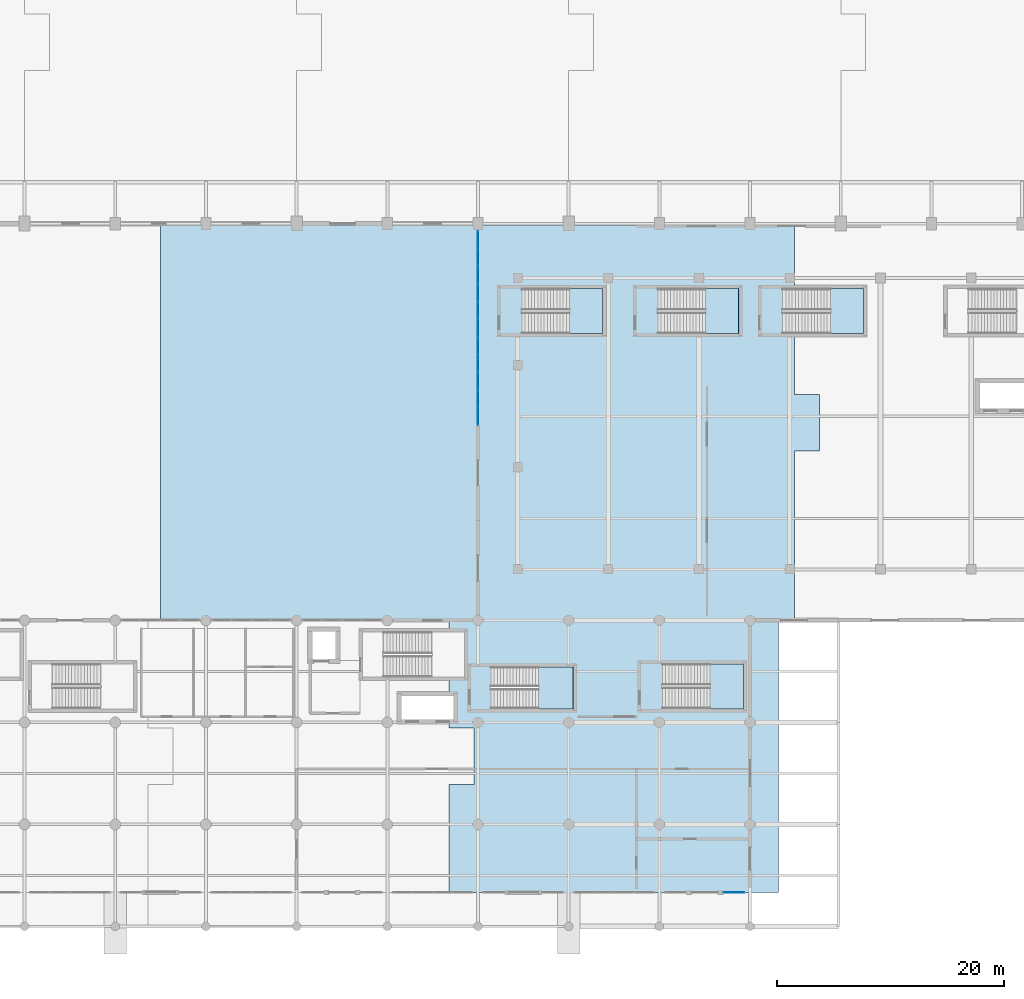
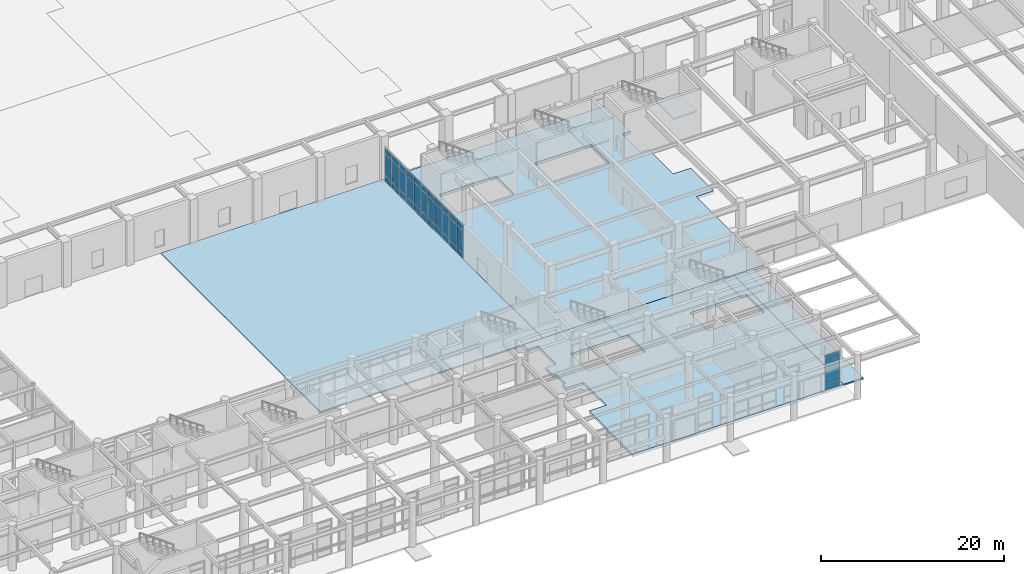
# One storey, part 22 of 49: 36 plates, 9 slabs, 8 elements without a shape of their own.
"""IFC4 building model written with IfcOpenShell, lengths in metres."""

from ifc_helpers import new_model, si_unit, direction, frame, origin, origin_2d, place, context, subcontext, project, spatial, polyline, rectangle, outline, extrude, material, layer, layer_set, type_object, element, aggregate, save


model = new_model("IFC4")

# Units and contexts
model_context = context("Model", 3, precision=1e-05, world=origin(), true_north=direction((0.0, 1.0)))
body_context = subcontext(model_context, "Body", "Model", "MODEL_VIEW")
ifc_project = project(units=[si_unit("LENGTHUNIT", "METRE"), si_unit("AREAUNIT", "SQUARE_METRE"), si_unit("VOLUMEUNIT", "CUBIC_METRE"), si_unit("PLANEANGLEUNIT", "RADIAN"), si_unit("MASSUNIT", "GRAM", prefix="KILO")], contexts=[model_context])

# Site, building, storey
site_placement = place(None, origin())
site = spatial("IfcSite", under=ifc_project, at=site_placement, CompositionType="ELEMENT")
building_placement = place(site_placement, origin())
building = spatial("IfcBuilding", under=site, at=building_placement, Name="Tlacozan Convention Centre", CompositionType="ELEMENT")
storey_placement = place(building_placement, origin())
storey = spatial("IfcBuildingStorey", under=building, at=storey_placement, Name="L00", CompositionType="ELEMENT", Elevation=0.0)

# Curtain wall, plates
ifc_material_1 = material(Name="Dark Bronze Anodised Aluminium", Category="aluminium")
ifc_layer_1 = layer(ifc_material_1, 0.199951171875)
ifc_layer_set_1 = layer_set([ifc_layer_1], Name="Dark Bronze Anodised Aluminium")
curtain_wall_type_1 = type_object("IfcCurtainWallType", Name="Unitised Courtyard Cloister L00 CW07", PredefinedType="NOTDEFINED", material=ifc_layer_set_1)
curtain_wall_1_placement = place(storey_placement, origin())
curtain_wall_1 = element("IfcCurtainWall", 1, at=curtain_wall_1_placement, inside=storey, type_object=curtain_wall_type_1, Name="L00 CW-07 Run 159", PredefinedType="NOTDEFINED")
ifc_material_2 = material(Name="Solar Control Double Low-E Argon Glazing", Category="glass")
ifc_layer_2 = layer(ifc_material_2, 0.030029296875)
ifc_layer_set_2 = layer_set([ifc_layer_2], Name="Solar Control Double Low-E Argon Glazing")
plate_type_1 = type_object("IfcPlateType", Name="Double Low-E Acoustic CW Panel 30", PredefinedType="CURTAIN_PANEL", material=ifc_layer_set_2)
plate_1_placement = place(storey_placement, frame((88.0, 44.998779296875, 0.074951171875), z_axis=(0.0, 0.0, 1.0), x_axis=(0.0, 1.0, 0.0)))
plate_1 = element("IfcPlate", 2, at=plate_1_placement, type_object=plate_type_1, Name="CW-07 panel 1.1", PredefinedType="CURTAIN_PANEL", context=body_context, shape_type="SweptSolid", body=[
    extrude(rectangle(XDim=1.447509765625, YDim=0.030029296875, at=origin_2d()), origin(), (0.0, 0.0, 1.0), 0.78759765625),
])
plate_2_placement = place(storey_placement, frame((88.0, 44.998779296875, 0.9375), z_axis=(0.0, 0.0, 1.0), x_axis=(0.0, 1.0, 0.0)))
plate_2 = element("IfcPlate", 3, at=plate_2_placement, type_object=plate_type_1, Name="CW-07 panel 1.2", PredefinedType="CURTAIN_PANEL", context=body_context, shape_type="SweptSolid", body=[
    extrude(rectangle(XDim=1.447509765625, YDim=0.030029296875, at=origin_2d()), origin(), (0.0, 0.0, 1.0), 2.77490234375),
])
plate_3_placement = place(storey_placement, frame((88.0, 44.998779296875, 3.78759765625), z_axis=(0.0, 0.0, 1.0), x_axis=(0.0, 1.0, 0.0)))
plate_3 = element("IfcPlate", 4, at=plate_3_placement, type_object=plate_type_1, Name="CW-07 panel 1.3", PredefinedType="CURTAIN_PANEL", context=body_context, shape_type="SweptSolid", body=[
    extrude(rectangle(XDim=1.447509765625, YDim=0.030029296875, at=origin_2d()), origin(), (0.0, 0.0, 1.0), 0.737548828125),
])
plate_4_placement = place(storey_placement, frame((88.0, 46.5400390625, 0.074951171875), z_axis=(0.0, 0.0, 1.0), x_axis=(0.0, 1.0, 0.0)))
plate_4 = element("IfcPlate", 5, at=plate_4_placement, type_object=plate_type_1, Name="CW-07 panel 2.1", PredefinedType="CURTAIN_PANEL", context=body_context, shape_type="SweptSolid", body=[
    extrude(rectangle(XDim=1.485107421875, YDim=0.030029296875, at=origin_2d()), origin(), (0.0, 0.0, 1.0), 0.78759765625),
])
plate_5_placement = place(storey_placement, frame((88.0, 46.5400390625, 0.9375), z_axis=(0.0, 0.0, 1.0), x_axis=(0.0, 1.0, 0.0)))
plate_5 = element("IfcPlate", 6, at=plate_5_placement, type_object=plate_type_1, Name="CW-07 panel 2.2", PredefinedType="CURTAIN_PANEL", context=body_context, shape_type="SweptSolid", body=[
    extrude(rectangle(XDim=1.485107421875, YDim=0.030029296875, at=origin_2d()), origin(), (0.0, 0.0, 1.0), 2.77490234375),
])
plate_6_placement = place(storey_placement, frame((88.0, 46.5400390625, 3.78759765625), z_axis=(0.0, 0.0, 1.0), x_axis=(0.0, 1.0, 0.0)))
plate_6 = element("IfcPlate", 7, at=plate_6_placement, type_object=plate_type_1, Name="CW-07 panel 2.3", PredefinedType="CURTAIN_PANEL", context=body_context, shape_type="SweptSolid", body=[
    extrude(rectangle(XDim=1.485107421875, YDim=0.030029296875, at=origin_2d()), origin(), (0.0, 0.0, 1.0), 0.737548828125),
])
plate_7_placement = place(storey_placement, frame((88.0, 48.10009765625, 0.074951171875), z_axis=(0.0, 0.0, 1.0), x_axis=(0.0, 1.0, 0.0)))
plate_7 = element("IfcPlate", 8, at=plate_7_placement, type_object=plate_type_1, Name="CW-07 panel 3.1", PredefinedType="CURTAIN_PANEL", context=body_context, shape_type="SweptSolid", body=[
    extrude(rectangle(XDim=1.485107421875, YDim=0.030029296875, at=origin_2d()), origin(), (0.0, 0.0, 1.0), 0.78759765625),
])
plate_8_placement = place(storey_placement, frame((88.0, 48.10009765625, 0.9375), z_axis=(0.0, 0.0, 1.0), x_axis=(0.0, 1.0, 0.0)))
plate_8 = element("IfcPlate", 9, at=plate_8_placement, type_object=plate_type_1, Name="CW-07 panel 3.2", PredefinedType="CURTAIN_PANEL", context=body_context, shape_type="SweptSolid", body=[
    extrude(rectangle(XDim=1.485107421875, YDim=0.030029296875, at=origin_2d()), origin(), (0.0, 0.0, 1.0), 2.77490234375),
])
plate_9_placement = place(storey_placement, frame((88.0, 48.10009765625, 3.78759765625), z_axis=(0.0, 0.0, 1.0), x_axis=(0.0, 1.0, 0.0)))
plate_9 = element("IfcPlate", 10, at=plate_9_placement, type_object=plate_type_1, Name="CW-07 panel 3.3", PredefinedType="CURTAIN_PANEL", context=body_context, shape_type="SweptSolid", body=[
    extrude(rectangle(XDim=1.485107421875, YDim=0.030029296875, at=origin_2d()), origin(), (0.0, 0.0, 1.0), 0.737548828125),
])
plate_10_placement = place(storey_placement, frame((88.0, 49.659912109375, 0.074951171875), z_axis=(0.0, 0.0, 1.0), x_axis=(0.0, 1.0, 0.0)))
plate_10 = element("IfcPlate", 11, at=plate_10_placement, type_object=plate_type_1, Name="CW-07 panel 4.1", PredefinedType="CURTAIN_PANEL", context=body_context, shape_type="SweptSolid", body=[
    extrude(rectangle(XDim=1.485107421875, YDim=0.030029296875, at=origin_2d()), origin(), (0.0, 0.0, 1.0), 0.78759765625),
])
plate_11_placement = place(storey_placement, frame((88.0, 49.659912109375, 0.9375), z_axis=(0.0, 0.0, 1.0), x_axis=(0.0, 1.0, 0.0)))
plate_11 = element("IfcPlate", 12, at=plate_11_placement, type_object=plate_type_1, Name="CW-07 panel 4.2", PredefinedType="CURTAIN_PANEL", context=body_context, shape_type="SweptSolid", body=[
    extrude(rectangle(XDim=1.485107421875, YDim=0.030029296875, at=origin_2d()), origin(), (0.0, 0.0, 1.0), 2.77490234375),
])
plate_12_placement = place(storey_placement, frame((88.0, 49.659912109375, 3.78759765625), z_axis=(0.0, 0.0, 1.0), x_axis=(0.0, 1.0, 0.0)))
plate_12 = element("IfcPlate", 13, at=plate_12_placement, type_object=plate_type_1, Name="CW-07 panel 4.3", PredefinedType="CURTAIN_PANEL", context=body_context, shape_type="SweptSolid", body=[
    extrude(rectangle(XDim=1.485107421875, YDim=0.030029296875, at=origin_2d()), origin(), (0.0, 0.0, 1.0), 0.737548828125),
])
plate_13_placement = place(storey_placement, frame((88.0, 51.201171875, 0.074951171875), z_axis=(0.0, 0.0, 1.0), x_axis=(0.0, 1.0, 0.0)))
plate_13 = element("IfcPlate", 14, at=plate_13_placement, type_object=plate_type_1, Name="CW-07 panel 5.1", PredefinedType="CURTAIN_PANEL", context=body_context, shape_type="SweptSolid", body=[
    extrude(rectangle(XDim=1.447509765625, YDim=0.030029296875, at=origin_2d()), origin(), (0.0, 0.0, 1.0), 0.78759765625),
])
plate_14_placement = place(storey_placement, frame((88.0, 51.201171875, 0.9375), z_axis=(0.0, 0.0, 1.0), x_axis=(0.0, 1.0, 0.0)))
plate_14 = element("IfcPlate", 15, at=plate_14_placement, type_object=plate_type_1, Name="CW-07 panel 5.2", PredefinedType="CURTAIN_PANEL", context=body_context, shape_type="SweptSolid", body=[
    extrude(rectangle(XDim=1.447509765625, YDim=0.030029296875, at=origin_2d()), origin(), (0.0, 0.0, 1.0), 2.77490234375),
])
plate_15_placement = place(storey_placement, frame((88.0, 51.201171875, 3.78759765625), z_axis=(0.0, 0.0, 1.0), x_axis=(0.0, 1.0, 0.0)))
plate_15 = element("IfcPlate", 16, at=plate_15_placement, type_object=plate_type_1, Name="CW-07 panel 5.3", PredefinedType="CURTAIN_PANEL", context=body_context, shape_type="SweptSolid", body=[
    extrude(rectangle(XDim=1.447509765625, YDim=0.030029296875, at=origin_2d()), origin(), (0.0, 0.0, 1.0), 0.737548828125),
])
aggregate(curtain_wall_1, [plate_1, plate_2, plate_3, plate_4, plate_5, plate_6, plate_7, plate_8, plate_9, plate_10, plate_11, plate_12, plate_13, plate_14, plate_15])

curtain_wall_2_placement = place(storey_placement, origin())
curtain_wall_2 = element("IfcCurtainWall", 17, at=curtain_wall_2_placement, inside=storey, type_object=curtain_wall_type_1, Name="L00 CW-07 Run 162", PredefinedType="NOTDEFINED")
plate_16_placement = place(storey_placement, frame((88.0, 52.802001953125, 0.074951171875), z_axis=(0.0, 0.0, 1.0), x_axis=(0.0, 1.0, 0.0)))
plate_16 = element("IfcPlate", 18, at=plate_16_placement, type_object=plate_type_1, Name="CW-07 panel 1.1", PredefinedType="CURTAIN_PANEL", context=body_context, shape_type="SweptSolid", body=[
    extrude(rectangle(XDim=1.4541015625, YDim=0.030029296875, at=origin_2d()), origin(), (0.0, 0.0, 1.0), 0.78759765625),
])
plate_17_placement = place(storey_placement, frame((88.0, 52.802001953125, 0.9375), z_axis=(0.0, 0.0, 1.0), x_axis=(0.0, 1.0, 0.0)))
plate_17 = element("IfcPlate", 19, at=plate_17_placement, type_object=plate_type_1, Name="CW-07 panel 1.2", PredefinedType="CURTAIN_PANEL", context=body_context, shape_type="SweptSolid", body=[
    extrude(rectangle(XDim=1.4541015625, YDim=0.030029296875, at=origin_2d()), origin(), (0.0, 0.0, 1.0), 2.77490234375),
])
plate_18_placement = place(storey_placement, frame((88.0, 52.802001953125, 3.78759765625), z_axis=(0.0, 0.0, 1.0), x_axis=(0.0, 1.0, 0.0)))
plate_18 = element("IfcPlate", 20, at=plate_18_placement, type_object=plate_type_1, Name="CW-07 panel 1.3", PredefinedType="CURTAIN_PANEL", context=body_context, shape_type="SweptSolid", body=[
    extrude(rectangle(XDim=1.4541015625, YDim=0.030029296875, at=origin_2d()), origin(), (0.0, 0.0, 1.0), 0.737548828125),
])
plate_19_placement = place(storey_placement, frame((88.0, 54.35009765625, 0.074951171875), z_axis=(0.0, 0.0, 1.0), x_axis=(0.0, 1.0, 0.0)))
plate_19 = element("IfcPlate", 21, at=plate_19_placement, type_object=plate_type_1, Name="CW-07 panel 2.1", PredefinedType="CURTAIN_PANEL", context=body_context, shape_type="SweptSolid", body=[
    extrude(rectangle(XDim=1.49169921875, YDim=0.030029296875, at=origin_2d()), origin(), (0.0, 0.0, 1.0), 0.78759765625),
])
plate_20_placement = place(storey_placement, frame((88.0, 54.35009765625, 0.9375), z_axis=(0.0, 0.0, 1.0), x_axis=(0.0, 1.0, 0.0)))
plate_20 = element("IfcPlate", 22, at=plate_20_placement, type_object=plate_type_1, Name="CW-07 panel 2.2", PredefinedType="CURTAIN_PANEL", context=body_context, shape_type="SweptSolid", body=[
    extrude(rectangle(XDim=1.49169921875, YDim=0.030029296875, at=origin_2d()), origin(), (0.0, 0.0, 1.0), 2.77490234375),
])
plate_21_placement = place(storey_placement, frame((88.0, 54.35009765625, 3.78759765625), z_axis=(0.0, 0.0, 1.0), x_axis=(0.0, 1.0, 0.0)))
plate_21 = element("IfcPlate", 23, at=plate_21_placement, type_object=plate_type_1, Name="CW-07 panel 2.3", PredefinedType="CURTAIN_PANEL", context=body_context, shape_type="SweptSolid", body=[
    extrude(rectangle(XDim=1.49169921875, YDim=0.030029296875, at=origin_2d()), origin(), (0.0, 0.0, 1.0), 0.737548828125),
])
plate_22_placement = place(storey_placement, frame((88.0, 55.916748046875, 0.074951171875), z_axis=(0.0, 0.0, 1.0), x_axis=(0.0, 1.0, 0.0)))
plate_22 = element("IfcPlate", 24, at=plate_22_placement, type_object=plate_type_1, Name="CW-07 panel 3.1", PredefinedType="CURTAIN_PANEL", context=body_context, shape_type="SweptSolid", body=[
    extrude(rectangle(XDim=1.49169921875, YDim=0.030029296875, at=origin_2d()), origin(), (0.0, 0.0, 1.0), 0.78759765625),
])
plate_23_placement = place(storey_placement, frame((88.0, 55.916748046875, 0.9375), z_axis=(0.0, 0.0, 1.0), x_axis=(0.0, 1.0, 0.0)))
plate_23 = element("IfcPlate", 25, at=plate_23_placement, type_object=plate_type_1, Name="CW-07 panel 3.2", PredefinedType="CURTAIN_PANEL", context=body_context, shape_type="SweptSolid", body=[
    extrude(rectangle(XDim=1.49169921875, YDim=0.030029296875, at=origin_2d()), origin(), (0.0, 0.0, 1.0), 2.77490234375),
])
plate_24_placement = place(storey_placement, frame((88.0, 55.916748046875, 3.78759765625), z_axis=(0.0, 0.0, 1.0), x_axis=(0.0, 1.0, 0.0)))
plate_24 = element("IfcPlate", 26, at=plate_24_placement, type_object=plate_type_1, Name="CW-07 panel 3.3", PredefinedType="CURTAIN_PANEL", context=body_context, shape_type="SweptSolid", body=[
    extrude(rectangle(XDim=1.49169921875, YDim=0.030029296875, at=origin_2d()), origin(), (0.0, 0.0, 1.0), 0.737548828125),
])
plate_25_placement = place(storey_placement, frame((88.0, 57.4833984375, 0.074951171875), z_axis=(0.0, 0.0, 1.0), x_axis=(0.0, 1.0, 0.0)))
plate_25 = element("IfcPlate", 27, at=plate_25_placement, type_object=plate_type_1, Name="CW-07 panel 4.1", PredefinedType="CURTAIN_PANEL", context=body_context, shape_type="SweptSolid", body=[
    extrude(rectangle(XDim=1.49169921875, YDim=0.030029296875, at=origin_2d()), origin(), (0.0, 0.0, 1.0), 0.78759765625),
])
plate_26_placement = place(storey_placement, frame((88.0, 57.4833984375, 0.9375), z_axis=(0.0, 0.0, 1.0), x_axis=(0.0, 1.0, 0.0)))
plate_26 = element("IfcPlate", 28, at=plate_26_placement, type_object=plate_type_1, Name="CW-07 panel 4.2", PredefinedType="CURTAIN_PANEL", context=body_context, shape_type="SweptSolid", body=[
    extrude(rectangle(XDim=1.49169921875, YDim=0.030029296875, at=origin_2d()), origin(), (0.0, 0.0, 1.0), 2.77490234375),
])
plate_27_placement = place(storey_placement, frame((88.0, 57.4833984375, 3.78759765625), z_axis=(0.0, 0.0, 1.0), x_axis=(0.0, 1.0, 0.0)))
plate_27 = element("IfcPlate", 29, at=plate_27_placement, type_object=plate_type_1, Name="CW-07 panel 4.3", PredefinedType="CURTAIN_PANEL", context=body_context, shape_type="SweptSolid", body=[
    extrude(rectangle(XDim=1.49169921875, YDim=0.030029296875, at=origin_2d()), origin(), (0.0, 0.0, 1.0), 0.737548828125),
])
plate_28_placement = place(storey_placement, frame((88.0, 59.050048828125, 0.074951171875), z_axis=(0.0, 0.0, 1.0), x_axis=(0.0, 1.0, 0.0)))
plate_28 = element("IfcPlate", 30, at=plate_28_placement, type_object=plate_type_1, Name="CW-07 panel 5.1", PredefinedType="CURTAIN_PANEL", context=body_context, shape_type="SweptSolid", body=[
    extrude(rectangle(XDim=1.49169921875, YDim=0.030029296875, at=origin_2d()), origin(), (0.0, 0.0, 1.0), 0.78759765625),
])
plate_29_placement = place(storey_placement, frame((88.0, 59.050048828125, 0.9375), z_axis=(0.0, 0.0, 1.0), x_axis=(0.0, 1.0, 0.0)))
plate_29 = element("IfcPlate", 31, at=plate_29_placement, type_object=plate_type_1, Name="CW-07 panel 5.2", PredefinedType="CURTAIN_PANEL", context=body_context, shape_type="SweptSolid", body=[
    extrude(rectangle(XDim=1.49169921875, YDim=0.030029296875, at=origin_2d()), origin(), (0.0, 0.0, 1.0), 2.77490234375),
])
plate_30_placement = place(storey_placement, frame((88.0, 59.050048828125, 3.78759765625), z_axis=(0.0, 0.0, 1.0), x_axis=(0.0, 1.0, 0.0)))
plate_30 = element("IfcPlate", 32, at=plate_30_placement, type_object=plate_type_1, Name="CW-07 panel 5.3", PredefinedType="CURTAIN_PANEL", context=body_context, shape_type="SweptSolid", body=[
    extrude(rectangle(XDim=1.49169921875, YDim=0.030029296875, at=origin_2d()), origin(), (0.0, 0.0, 1.0), 0.737548828125),
])
plate_31_placement = place(storey_placement, frame((88.0, 60.597900390625, 0.074951171875), z_axis=(0.0, 0.0, 1.0), x_axis=(0.0, 1.0, 0.0)))
plate_31 = element("IfcPlate", 33, at=plate_31_placement, type_object=plate_type_1, Name="CW-07 panel 6.1", PredefinedType="CURTAIN_PANEL", context=body_context, shape_type="SweptSolid", body=[
    extrude(rectangle(XDim=1.4541015625, YDim=0.030029296875, at=origin_2d()), origin(), (0.0, 0.0, 1.0), 0.78759765625),
])
plate_32_placement = place(storey_placement, frame((88.0, 60.597900390625, 0.9375), z_axis=(0.0, 0.0, 1.0), x_axis=(0.0, 1.0, 0.0)))
plate_32 = element("IfcPlate", 34, at=plate_32_placement, type_object=plate_type_1, Name="CW-07 panel 6.2", PredefinedType="CURTAIN_PANEL", context=body_context, shape_type="SweptSolid", body=[
    extrude(rectangle(XDim=1.4541015625, YDim=0.030029296875, at=origin_2d()), origin(), (0.0, 0.0, 1.0), 2.77490234375),
])
plate_33_placement = place(storey_placement, frame((88.0, 60.597900390625, 3.78759765625), z_axis=(0.0, 0.0, 1.0), x_axis=(0.0, 1.0, 0.0)))
plate_33 = element("IfcPlate", 35, at=plate_33_placement, type_object=plate_type_1, Name="CW-07 panel 6.3", PredefinedType="CURTAIN_PANEL", context=body_context, shape_type="SweptSolid", body=[
    extrude(rectangle(XDim=1.4541015625, YDim=0.030029296875, at=origin_2d()), origin(), (0.0, 0.0, 1.0), 0.737548828125),
])
aggregate(curtain_wall_2, [plate_16, plate_17, plate_18, plate_19, plate_20, plate_21, plate_22, plate_23, plate_24, plate_25, plate_26, plate_27, plate_28, plate_29, plate_30, plate_31, plate_32, plate_33])

ifc_layer_3 = layer(ifc_material_1, 0.159912109375)
ifc_layer_set_3 = layer_set([ifc_layer_3], Name="Dark Bronze Anodised Aluminium")
curtain_wall_type_2 = type_object("IfcCurtainWallType", Name="Unitised Concourse Curtain Wall CW01", PredefinedType="NOTDEFINED", material=ifc_layer_set_3)
curtain_wall_3_placement = place(storey_placement, origin())
curtain_wall_3 = element("IfcCurtainWall", 36, at=curtain_wall_3_placement, inside=storey, type_object=curtain_wall_type_2, Name="L00 CW-01 Run 49", PredefinedType="NOTDEFINED")
ifc_layer_4 = layer(ifc_material_2, 0.02001953125)
ifc_layer_set_4 = layer_set([ifc_layer_4], Name="Solar Control Double Low-E Argon Glazing")
plate_type_2 = type_object("IfcPlateType", Name="Double Low-E Glazed CW Panel 20", PredefinedType="CURTAIN_PANEL", material=ifc_layer_set_4)
plate_34_placement = place(storey_placement, frame((110.5849609375, 3.0, 0.06494140625), z_axis=(0.0, 0.0, 1.0), x_axis=(1.0, 0.0, 0.0)))
plate_34 = element("IfcPlate", 37, at=plate_34_placement, type_object=plate_type_2, Name="CW-01 panel 1.1", PredefinedType="CURTAIN_PANEL", context=body_context, shape_type="SweptSolid", body=[
    extrude(rectangle(XDim=1.800048828125, YDim=0.02001953125, at=origin_2d()), origin(), (0.0, 0.0, 1.0), 0.802490234375),
])
plate_35_placement = place(storey_placement, frame((110.5849609375, 3.0, 0.9326171875), z_axis=(0.0, 0.0, 1.0), x_axis=(1.0, 0.0, 0.0)))
plate_35 = element("IfcPlate", 38, at=plate_35_placement, type_object=plate_type_2, Name="CW-01 panel 1.2", PredefinedType="CURTAIN_PANEL", context=body_context, shape_type="SweptSolid", body=[
    extrude(rectangle(XDim=1.800048828125, YDim=0.02001953125, at=origin_2d()), origin(), (0.0, 0.0, 1.0), 2.885009765625),
])
plate_36_placement = place(storey_placement, frame((110.5849609375, 3.0, 3.882568359375), z_axis=(0.0, 0.0, 1.0), x_axis=(1.0, 0.0, 0.0)))
plate_36 = element("IfcPlate", 39, at=plate_36_placement, type_object=plate_type_2, Name="CW-01 panel 1.3", PredefinedType="CURTAIN_PANEL", context=body_context, shape_type="SweptSolid", body=[
    extrude(rectangle(XDim=1.800048828125, YDim=0.02001953125, at=origin_2d()), origin(), (0.0, 0.0, 1.0), 0.75244140625),
])
aggregate(curtain_wall_3, [plate_34, plate_35, plate_36])

# Slabs
ifc_material_3 = material(Name="Concrete C35/45", Category="concrete")
ifc_layer_5 = layer(ifc_material_3, 0.18994140625)
ifc_layer_set_5 = layer_set([ifc_layer_5], Name="Concrete C35/45")
slab_type_1 = type_object("IfcSlabType", Name="Outdoor Cantera Courtyard Paving 190", PredefinedType="FLOOR", material=ifc_layer_set_5)
slab_1_placement = place(storey_placement, frame((0.0, 0.0, -0.18994140625)))
element("IfcSlab", 40, at=slab_1_placement, inside=storey, type_object=slab_type_1, Name="L00 Outdoor Cantera Courtyard Paving 190 51", PredefinedType="FLOOR", context=body_context, shape_type="SweptSolid", body=[
    extrude(outline(polyline([(60.0, 27.0), (60.0, 61.85009765625), (88.0, 61.85009765625), (88.0, 27.0), (60.0, 27.0)])), origin(), (0.0, 0.0, 1.0), 0.18994140625),
])
ifc_layer_6 = layer(ifc_material_3, 0.2099609375)
ifc_layer_set_6 = layer_set([ifc_layer_6], Name="Concrete C35/45")
slab_type_2 = type_object("IfcSlabType", Name="Outdoor Park Colonnade Plinth 210", PredefinedType="FLOOR", material=ifc_layer_set_6)
slab_2_placement = place(storey_placement, frame((0.0, 0.0, -0.2099609375)))
element("IfcSlab", 41, at=slab_2_placement, inside=storey, type_object=slab_type_2, Name="East Promenade Entrance Plaza Apron", PredefinedType="FLOOR", context=body_context, shape_type="SweptSolid", body=[
    extrude(outline(polyline([(112.0, 3.0), (114.5, 3.0), (114.5, 27.0), (112.0, 27.0), (112.0, 3.0)])), origin(), (0.0, 0.0, 1.0), 0.2099609375),
])
ifc_material_4 = material(Name="Concrete C40/50", Category="concrete")
ifc_layer_7 = layer(ifc_material_4, 0.360107421875)
ifc_layer_set_7 = layer_set([ifc_layer_7], Name="Concrete C40/50")
slab_type_3 = type_object("IfcSlabType", Name="Podium Ground Floor Slab 360", PredefinedType="FLOOR", material=ifc_layer_set_7)
slab_3_placement = place(storey_placement, frame((0.0, 0.0, -0.360107421875)))
element("IfcSlab", 42, at=slab_3_placement, inside=storey, type_object=slab_type_3, Name="L00 Podium Ground Floor Slab 360 27", PredefinedType="FLOOR", context=body_context, shape_type="SweptSolid", body=[
    extrude(outline(polyline([(112.0, 27.0), (112.0, 3.0), (85.449951171875, 3.0), (85.449951171875, 12.5), (87.64990234375, 12.5), (87.64990234375, 17.5), (85.449951171875, 17.5), (85.449951171875, 18.27001953125), (85.830078125, 18.27001953125), (85.830078125, 20.330078125), (85.449951171875, 20.330078125), (85.449951171875, 22.0), (86.800048828125, 22.0), (86.800048828125, 25.9599609375), (85.449951171875, 25.9599609375), (85.449951171875, 27.0), (112.0, 27.0)]), holes=[polyline([(96.39990234375, 19.199951171875), (96.39990234375, 22.89990234375), (89.14990234375, 22.89990234375), (89.14990234375, 19.199951171875), (96.39990234375, 19.199951171875)]), polyline([(104.280029296875, 19.199951171875), (111.39990234375, 19.199951171875), (111.39990234375, 23.159912109375), (104.280029296875, 23.159912109375), (104.280029296875, 19.199951171875)])]), origin(), (0.0, 0.0, 1.0), 0.360107421875),
])
slab_4_placement = place(storey_placement, frame((0.0, 0.0, -0.360107421875)))
element("IfcSlab", 43, at=slab_4_placement, inside=storey, type_object=slab_type_3, Name="L00 Podium Ground Floor Slab 360 44", PredefinedType="FLOOR", context=body_context, shape_type="SweptSolid", body=[
    extrude(outline(polyline([(88.0, 27.0), (88.0, 61.85009765625), (115.925048828125, 61.85009765625), (115.925048828125, 56.260009765625), (114.8798828125, 56.260009765625), (114.8798828125, 52.300048828125), (115.925048828125, 52.300048828125), (115.925048828125, 46.925048828125), (118.125, 46.925048828125), (118.125, 41.925048828125), (115.925048828125, 41.925048828125), (115.925048828125, 27.0), (88.0, 27.0)]), holes=[polyline([(91.8798828125, 52.300048828125), (99.0, 52.300048828125), (99.0, 56.260009765625), (91.8798828125, 56.260009765625), (91.8798828125, 52.300048828125)]), polyline([(103.8798828125, 52.300048828125), (111.0, 52.300048828125), (111.0, 56.260009765625), (103.8798828125, 56.260009765625), (103.8798828125, 52.300048828125)])]), origin(), (0.0, 0.0, 1.0), 0.360107421875),
])

# Stair, slab
stair_type_1 = type_object("IfcStairType", Name="Protected Dogleg Stair W188 H60", PredefinedType="HALF_TURN_STAIR", material=ifc_material_4)
stair_1_placement = place(storey_placement, origin())
stair_1 = element("IfcStair", 44, at=stair_1_placement, inside=storey, type_object=stair_type_1, Name="L00 East Congress Stair", PredefinedType="HALF_TURN_STAIR")
ifc_layer_8 = layer(ifc_material_4, 0.199951171875)
ifc_layer_set_8 = layer_set([ifc_layer_8], Name="Concrete C40/50")
slab_type_4 = type_object("IfcSlabType", Name="Stair Half Landing Slab 200", PredefinedType="LANDING", material=ifc_layer_set_8)
slab_5_placement = place(storey_placement, frame((0.0, 0.0, 2.800048828125)))
slab_5 = element("IfcSlab", 45, at=slab_5_placement, type_object=slab_type_4, Name="ST-05 landing 1", PredefinedType="LANDING", context=body_context, shape_type="SweptSolid", body=[
    extrude(outline(polyline([(108.47998046875, 19.199951171875), (111.39990234375, 19.199951171875), (111.39990234375, 23.159912109375), (108.47998046875, 23.159912109375), (108.47998046875, 19.199951171875)])), origin(), (0.0, 0.0, 1.0), 0.199951171875),
])
aggregate(stair_1, [slab_5])

stair_type_2 = type_object("IfcStairType", Name="Protected Dogleg Stair W175 H60", PredefinedType="HALF_TURN_STAIR", material=ifc_material_4)
stair_2_placement = place(storey_placement, origin())
stair_2 = element("IfcStair", 46, at=stair_2_placement, inside=storey, type_object=stair_type_2, Name="L00 East Belvedere Congress Stair", PredefinedType="HALF_TURN_STAIR")
slab_6_placement = place(storey_placement, frame((0.0, 0.0, 2.800048828125)))
slab_6 = element("IfcSlab", 47, at=slab_6_placement, type_object=slab_type_4, Name="ST-15 landing 1", PredefinedType="LANDING", context=body_context, shape_type="SweptSolid", body=[
    extrude(outline(polyline([(93.35009765625, 19.199951171875), (96.39990234375, 19.199951171875), (96.39990234375, 22.89990234375), (93.35009765625, 22.89990234375), (93.35009765625, 19.199951171875)])), origin(), (0.0, 0.0, 1.0), 0.199951171875),
])
aggregate(stair_2, [slab_6])

stair_3_placement = place(storey_placement, origin())
stair_3 = element("IfcStair", 48, at=stair_3_placement, inside=storey, type_object=stair_type_1, Name="L00 Ballroom West Stair", PredefinedType="HALF_TURN_STAIR")
slab_7_placement = place(storey_placement, frame((0.0, 0.0, 2.800048828125)))
slab_7 = element("IfcSlab", 49, at=slab_7_placement, type_object=slab_type_4, Name="ST-06 landing 1", PredefinedType="LANDING", context=body_context, shape_type="SweptSolid", body=[
    extrude(outline(polyline([(96.080078125, 52.300048828125), (99.0, 52.300048828125), (99.0, 56.260009765625), (96.080078125, 56.260009765625), (96.080078125, 52.300048828125)])), origin(), (0.0, 0.0, 1.0), 0.199951171875),
])
aggregate(stair_3, [slab_7])

stair_4_placement = place(storey_placement, origin())
stair_4 = element("IfcStair", 50, at=stair_4_placement, inside=storey, type_object=stair_type_1, Name="L00 Ballroom Courtyard Stair", PredefinedType="HALF_TURN_STAIR")
slab_8_placement = place(storey_placement, frame((0.0, 0.0, 2.800048828125)))
slab_8 = element("IfcSlab", 51, at=slab_8_placement, type_object=slab_type_4, Name="ST-17 landing 1", PredefinedType="LANDING", context=body_context, shape_type="SweptSolid", body=[
    extrude(outline(polyline([(108.080078125, 52.300048828125), (111.0, 52.300048828125), (111.0, 56.260009765625), (108.080078125, 56.260009765625), (108.080078125, 52.300048828125)])), origin(), (0.0, 0.0, 1.0), 0.199951171875),
])
aggregate(stair_4, [slab_8])

stair_5_placement = place(storey_placement, origin())
stair_5 = element("IfcStair", 52, at=stair_5_placement, inside=storey, type_object=stair_type_1, Name="L00 Ballroom East Terrace Stair", PredefinedType="HALF_TURN_STAIR")
slab_9_placement = place(storey_placement, frame((0.0, 0.0, 2.800048828125)))
slab_9 = element("IfcSlab", 53, at=slab_9_placement, type_object=slab_type_4, Name="ST-18 landing 1", PredefinedType="LANDING", context=body_context, shape_type="SweptSolid", body=[
    extrude(outline(polyline([(119.080078125, 52.300048828125), (122.0, 52.300048828125), (122.0, 56.260009765625), (119.080078125, 56.260009765625), (119.080078125, 52.300048828125)])), origin(), (0.0, 0.0, 1.0), 0.199951171875),
])
aggregate(stair_5, [slab_9])

save(model, "model.ifc")
